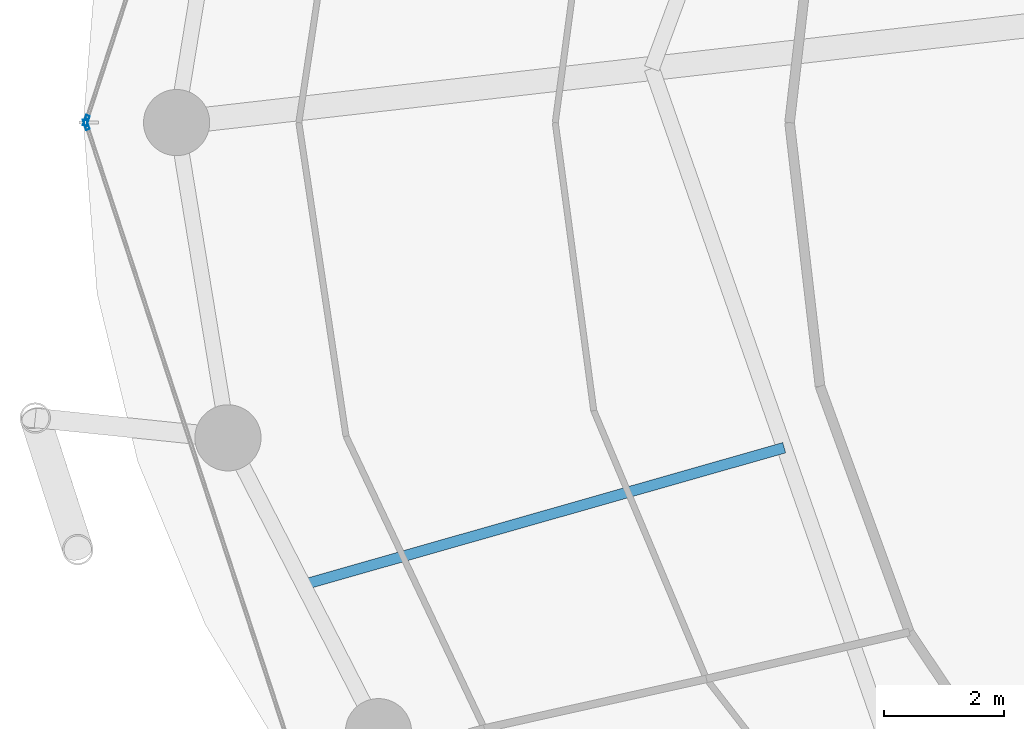
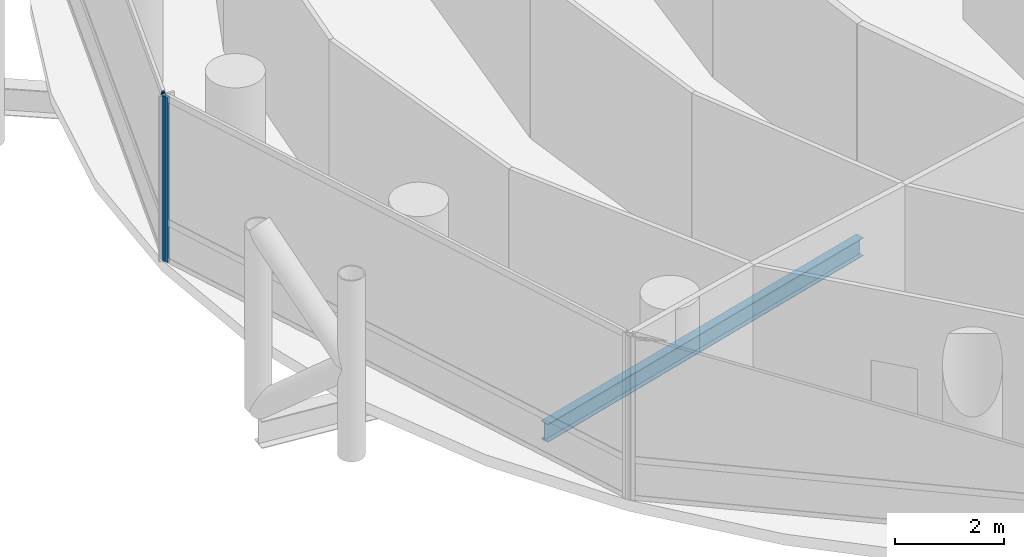
# One storey, part 6 of 27: 2 members, 1 beam, 2 elements without a shape of their own.
"""IFC4 building model written with IfcOpenShell, lengths in metres."""

import ifcopenshell
import ifcopenshell.guid

model = None  # the IFC model being written
_history = None  # IfcOwnerHistory: only IFC2X3 demands one
_inside = {}  # id of a spatial element -> (the spatial element, [elements in it])
_under = {}  # id of a project, library or spatial element -> (it, [spatial elements below it])
_declared = {}  # id of a project -> (the project, [libraries it declares])
_typed = {}  # id of a type object -> (the type object, [elements of that type])
_made_of = {}  # id of a material, layer set ... -> (it, [elements and type objects made of it])


def new_model(schema):
    """Start an empty IFC model of exactly this schema.

    Asked for "IFC4X3", IfcOpenShell would pick the latest addendum, in which some entities
    have other attributes; the version numbers below select the first issue.
    IFC2X3 requires an IfcOwnerHistory on every rooted entity: one is made here for all.
    """
    global model, _history
    if schema == "IFC4X3":
        model = ifcopenshell.file(schema_version=(4, 3, 0, 0))
    else:
        model = ifcopenshell.file(schema=schema)
    _inside.clear()
    _under.clear()
    _declared.clear()
    _typed.clear()
    _made_of.clear()
    _history = None
    if model.schema == "IFC2X3":
        org = make("IfcOrganization", Name="unknown")
        user = make(
            "IfcPersonAndOrganization",
            ThePerson=make("IfcPerson", FamilyName="unknown"),
            TheOrganization=org,
        )
        app = make(
            "IfcApplication",
            ApplicationDeveloper=org,
            Version="unknown",
            ApplicationFullName="unknown",
            ApplicationIdentifier="unknown",
        )
        _history = make(
            "IfcOwnerHistory",
            OwningUser=user,
            OwningApplication=app,
            ChangeAction="ADDED",
            CreationDate=0,
        )
    return model


def make(cls, **values):
    """One entity of the class cls with the attributes given. An attribute that is None is left unset."""
    return model.create_entity(
        cls, **{name: value for name, value in values.items() if value is not None}
    )


def rooted(cls, **values):
    """An entity with a GlobalId (a new one), such as an element, a storey or a relation."""
    return make(cls, GlobalId=ifcopenshell.guid.new(), OwnerHistory=_history, **values)


def si_unit(unit_type, name, prefix=None):
    """IfcSIUnit, for example si_unit("LENGTHUNIT", "METRE", prefix="MILLI")."""
    return make("IfcSIUnit", UnitType=unit_type, Prefix=prefix, Name=name)


def assignment(units):
    """IfcUnitAssignment: the units of a project."""
    return None if units is None else make("IfcUnitAssignment", Units=units)


def point(xyz):
    """IfcCartesianPoint."""
    return None if xyz is None else make("IfcCartesianPoint", Coordinates=xyz)


def direction(xyz):
    """IfcDirection."""
    return None if xyz is None else make("IfcDirection", DirectionRatios=xyz)


def frame(location, z_axis=None, x_axis=None):
    """IfcAxis2Placement3D, a coordinate frame: its origin and axes. An axis left out is left unset."""
    return make(
        "IfcAxis2Placement3D",
        Location=point(location),
        Axis=direction(z_axis),
        RefDirection=direction(x_axis),
    )


def frame_2d(location, x_axis=None):
    """IfcAxis2Placement2D, a coordinate frame in the plane: its origin and x axis."""
    return make(
        "IfcAxis2Placement2D", Location=point(location), RefDirection=direction(x_axis)
    )


def origin():
    """The frame at (0, 0, 0) with its axes left unset."""
    return frame((0.0, 0.0, 0.0))


def origin_2d():
    """The frame at (0, 0) in the plane with its x axis left unset."""
    return frame_2d((0.0, 0.0))


def place(relative_to, where):
    """IfcLocalPlacement: puts the frame where relative to a parent placement (None: the world)."""
    return make(
        "IfcLocalPlacement", PlacementRelTo=relative_to, RelativePlacement=where
    )


def context(
    kind, dimensions, precision=None, world=None, true_north=None, identifier=None
):
    """IfcGeometricRepresentationContext, for example the 3D "Model" context."""
    return make(
        "IfcGeometricRepresentationContext",
        ContextIdentifier=identifier,
        ContextType=kind,
        CoordinateSpaceDimension=dimensions,
        Precision=precision,
        WorldCoordinateSystem=world,
        TrueNorth=true_north,
    )


def subcontext(parent, identifier, kind, view, scale=None):
    """IfcGeometricRepresentationSubContext, for example "Body" below "Model"."""
    return make(
        "IfcGeometricRepresentationSubContext",
        ContextIdentifier=identifier,
        ContextType=kind,
        ParentContext=parent,
        TargetScale=scale,
        TargetView=view,
    )


def project(units=None, contexts=None):
    """IfcProject with its units and contexts."""
    return rooted(
        "IfcProject",
        Name="project",
        RepresentationContexts=contexts,
        UnitsInContext=assignment(units),
    )


def spatial(cls, under=None, at=None, **own):
    """A site, building, storey or space (cls), placed at a placement, below another one or the project."""
    s = rooted(cls, ObjectPlacement=at, **own)
    if under is not None:
        _under.setdefault(under.id(), (under, []))[1].append(s)
    return s


def profile(cls, at=None, kind="AREA", **sizes):
    """A parametric profile (cls). Its sizes go by their IFC names, for example OverallWidth=200.0."""
    return make(cls, ProfileType=kind, Position=at, **sizes)


def hollow_rectangle(**sizes):
    """IfcRectangleHollowProfileDef."""
    return profile("IfcRectangleHollowProfileDef", **sizes)


def i_section(**sizes):
    """IfcIShapeProfileDef."""
    return profile("IfcIShapeProfileDef", **sizes)


def extrude(swept, where, along, depth):
    """IfcExtrudedAreaSolid: the profile swept, set in the frame where, extruded along a direction by depth."""
    return make(
        "IfcExtrudedAreaSolid",
        SweptArea=swept,
        Position=where,
        ExtrudedDirection=direction(along),
        Depth=depth,
    )


def shape(context_of_items, identifier, shape_type, items):
    """IfcShapeRepresentation: the items that make up one representation, for example the "Body"."""
    return make(
        "IfcShapeRepresentation",
        ContextOfItems=context_of_items,
        RepresentationIdentifier=identifier,
        RepresentationType=shape_type,
        Items=items,
    )


def material(Name=None, Category=None):
    """IfcMaterial."""
    return make("IfcMaterial", Name=Name, Category=Category)


def layer(
    of_material, thickness, ventilated=None, Name=None, Category=None, Priority=None
):
    """IfcMaterialLayer: one layer of a wall or slab, of a material (None: an air gap)."""
    return make(
        "IfcMaterialLayer",
        Material=of_material,
        LayerThickness=thickness,
        IsVentilated=ventilated,
        Name=Name,
        Category=Category,
        Priority=Priority,
    )


def layer_set(layers, Name=None):
    """IfcMaterialLayerSet."""
    return make("IfcMaterialLayerSet", MaterialLayers=layers, LayerSetName=Name)


def material_profile(
    of_material, cross_section, Name=None, Category=None, Priority=None
):
    """IfcMaterialProfile: a cross section and its material."""
    return make(
        "IfcMaterialProfile",
        Name=Name,
        Material=of_material,
        Profile=cross_section,
        Priority=Priority,
        Category=Category,
    )


def profile_set(profiles, Name=None, composite=None):
    """IfcMaterialProfileSet."""
    return make(
        "IfcMaterialProfileSet",
        Name=Name,
        MaterialProfiles=profiles,
        CompositeProfile=composite,
    )


def made_of(thing, what):
    """Note that an element or type object is made of a material, layer set ...; save() writes the relation."""
    if what is not None:
        _made_of.setdefault(what.id(), (what, []))[1].append(thing)
    return thing


def type_object(cls, material=None, **own):
    """A type object (cls), such as IfcWallType, which elements share."""
    return made_of(rooted(cls, **own), material)


def element(
    cls,
    number,
    at=None,
    inside=None,
    cuts=None,
    type_object=None,
    material=None,
    context=None,
    identifier="Body",
    shape_type=None,
    held_by="IfcProductDefinitionShape",
    body=None,
    shapes=None,
    **own,
):
    """One element of the class cls, such as IfcWall. Its Tag is "e" and its number.

    at: its placement. inside: the storey or other place that contains it. cuts: it is an
    opening in that element (IfcRelVoidsElement). A single representation is given by context,
    identifier, shape_type and body (its items); several are given by shapes. held_by: the class
    of the entity that holds the representations. save() writes the other relations.
    """
    e = rooted(cls, Tag="e%d" % number, ObjectPlacement=at, **own)
    if body is not None:
        shapes = [shape(context, identifier, shape_type, body)]
    if shapes is not None:
        e.Representation = make(held_by, Representations=shapes)
    if inside is not None:
        _inside.setdefault(inside.id(), (inside, []))[1].append(e)
    if cuts is not None:
        rooted(
            "IfcRelVoidsElement", RelatingBuildingElement=cuts, RelatedOpeningElement=e
        )
    if type_object is not None:
        _typed.setdefault(type_object.id(), (type_object, []))[1].append(e)
    return made_of(e, material)


def aggregate(whole, parts):
    """IfcRelAggregates: a whole, such as a stair, and the parts it consists of."""
    return rooted("IfcRelAggregates", RelatingObject=whole, RelatedObjects=parts)


def save(model, path):
    """Write the relations noted so far, then the file.

    IfcRelAggregates (storeys below a building ...), IfcRelContainedInSpatialStructure (elements
    in a storey), IfcRelDefinesByType, IfcRelAssociatesMaterial and IfcRelDeclares: one each for
    every whole, place, type object, material and project.
    """
    for whole, parts in _under.values():
        aggregate(whole, parts)
    for where, things in _inside.values():
        rooted(
            "IfcRelContainedInSpatialStructure",
            RelatedElements=things,
            RelatingStructure=where,
        )
    for kind, things in _typed.values():
        rooted("IfcRelDefinesByType", RelatedObjects=things, RelatingType=kind)
    for what, things in _made_of.values():
        rooted("IfcRelAssociatesMaterial", RelatedObjects=things, RelatingMaterial=what)
    for by, libraries in _declared.values():
        rooted("IfcRelDeclares", RelatingContext=by, RelatedDefinitions=libraries)
    model.write(path)


model = new_model("IFC4")

# Units and contexts
model_context = context("Model", 3, precision=1e-05, world=origin(), true_north=direction((0.0, 1.0)))
body_context = subcontext(model_context, "Body", "Model", "MODEL_VIEW")
ifc_project = project(units=[si_unit("LENGTHUNIT", "METRE"), si_unit("AREAUNIT", "SQUARE_METRE"), si_unit("VOLUMEUNIT", "CUBIC_METRE"), si_unit("PLANEANGLEUNIT", "RADIAN"), si_unit("MASSUNIT", "GRAM", prefix="KILO")], contexts=[model_context])

# Site, building, storey
site_placement = place(None, origin())
site = spatial("IfcSite", under=ifc_project, at=site_placement, CompositionType="ELEMENT")
building_placement = place(site_placement, origin())
building = spatial("IfcBuilding", under=site, at=building_placement, Name="Nuhasar Tower", CompositionType="ELEMENT")
storey_placement = place(building_placement, frame((0.0, 0.0, 102.0)))
storey = spatial("IfcBuildingStorey", under=building, at=storey_placement, Name="L24", CompositionType="ELEMENT", Elevation=102.0)

# Beam
ifc_material_1 = material(Name="Steel S355", Category="steel")
ifc_material_profile_1 = material_profile(ifc_material_1, i_section(OverallWidth=0.177978515625, OverallDepth=0.406005859375, WebThickness=0.0078125, FlangeThickness=0.0126953125, at=origin_2d()), Name="W16X40")
ifc_profile_set_1 = profile_set([ifc_material_profile_1], Name="Steel S355")
beam_type = type_object("IfcBeamType", Name="BM-JST-W16X40", PredefinedType="JOIST", material=ifc_profile_set_1)
beam_placement = place(storey_placement, frame((24.051025390625, 21.39501953125, -0.452880859375), z_axis=(-0.961730884496, -0.273995813484, 0.0), x_axis=(0.273995813484, -0.961730884496, 0.0)))
element("IfcBeam", 1, at=beam_placement, inside=storey, type_object=beam_type, Name="L24 Secondary Floor Joist 08", PredefinedType="JOIST", context=body_context, shape_type="SweptSolid", body=[
    extrude(i_section(OverallWidth=0.177978515625, OverallDepth=0.406005859375, WebThickness=0.0078125, FlangeThickness=0.0126953125, at=origin_2d()), origin(), (0.0, 0.0, 1.0), 8.314208984375),
])

# Curtain wall, member
ifc_material_2 = material(Name="Aluminium 6063-T6", Category="aluminium")
ifc_layer = layer(ifc_material_2, 0.199951171875)
ifc_layer_set = layer_set([ifc_layer], Name="Aluminium 6063-T6")
curtain_wall_type = type_object("IfcCurtainWallType", Name="CW-Z1-OFF", PredefinedType="NOTDEFINED", material=ifc_layer_set)
curtain_wall_1_placement = place(storey_placement, origin())
curtain_wall_1 = element("IfcCurtainWall", 2, at=curtain_wall_1_placement, inside=storey, type_object=curtain_wall_type, Name="L24 Unitised Curtain Wall 06", PredefinedType="NOTDEFINED")
ifc_material_profile_2 = material_profile(ifc_material_2, hollow_rectangle(XDim=0.06494140625, YDim=0.179931640625, WallThickness=0.0048828125, at=origin_2d()), Name="CWM-2")
ifc_profile_set_2 = profile_set([ifc_material_profile_2], Name="Aluminium 6063-T6")
member_type = type_object("IfcMemberType", Name="CW-MUL-S2", PredefinedType="MULLION", material=ifc_profile_set_2)
member_1_placement = place(storey_placement, frame((12.4501953125, 26.830810546875, 0.0), z_axis=(0.0, 0.0, 1.0), x_axis=(0.950467534571, -0.310823849997, 0.0)))
member_1 = element("IfcMember", 3, at=member_1_placement, type_object=member_type, Name="CW-Z1 mullion 2", PredefinedType="MULLION", context=body_context, shape_type="SweptSolid", body=[
    extrude(hollow_rectangle(XDim=0.06494140625, YDim=0.179931640625, WallThickness=0.0048828125, at=origin_2d()), origin(), (0.0, 0.0, 1.0), 3.699951171875),
])
aggregate(curtain_wall_1, [member_1])

curtain_wall_2_placement = place(storey_placement, origin())
curtain_wall_2 = element("IfcCurtainWall", 4, at=curtain_wall_2_placement, inside=storey, type_object=curtain_wall_type, Name="L24 Unitised Curtain Wall 07", PredefinedType="NOTDEFINED")
member_2_placement = place(storey_placement, frame((12.4501953125, 26.76904296875, 0.0), z_axis=(0.0, 0.0, 1.0), x_axis=(0.950467534571, 0.310823849997, 0.0)))
member_2 = element("IfcMember", 5, at=member_2_placement, type_object=member_type, Name="CW-Z1 mullion 1", PredefinedType="MULLION", context=body_context, shape_type="SweptSolid", body=[
    extrude(hollow_rectangle(XDim=0.06494140625, YDim=0.179931640625, WallThickness=0.0048828125, at=origin_2d()), origin(), (0.0, 0.0, 1.0), 3.699951171875),
])
aggregate(curtain_wall_2, [member_2])

save(model, "model.ifc")
